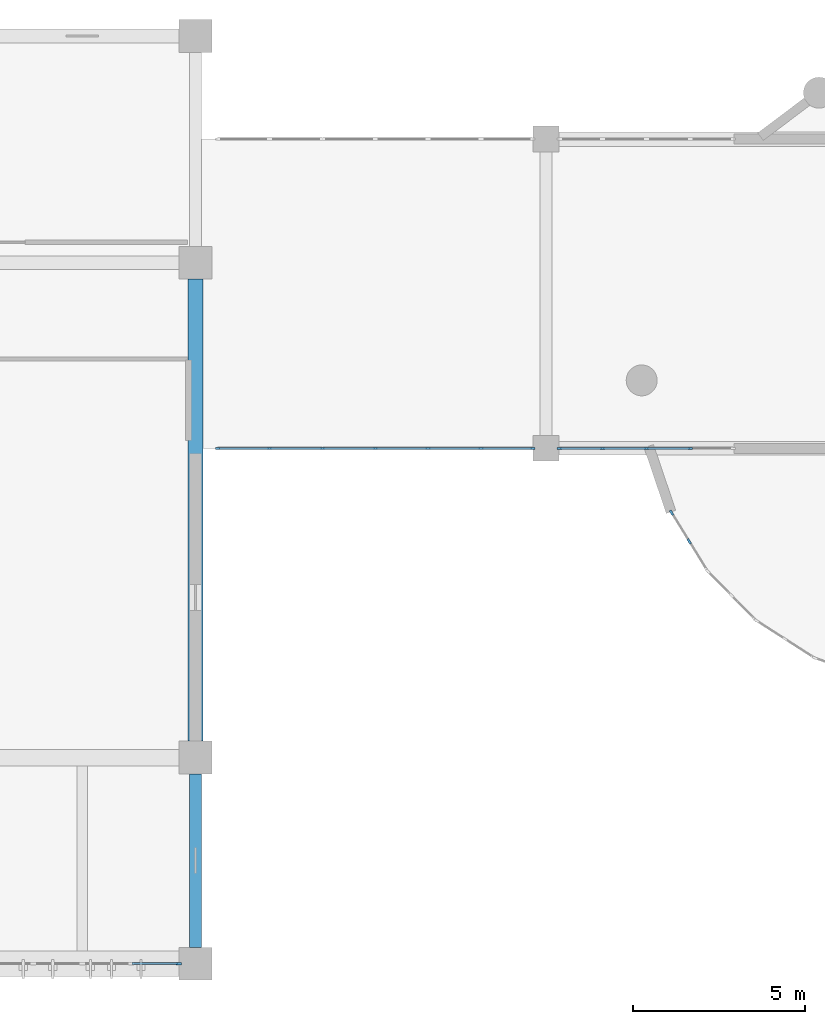
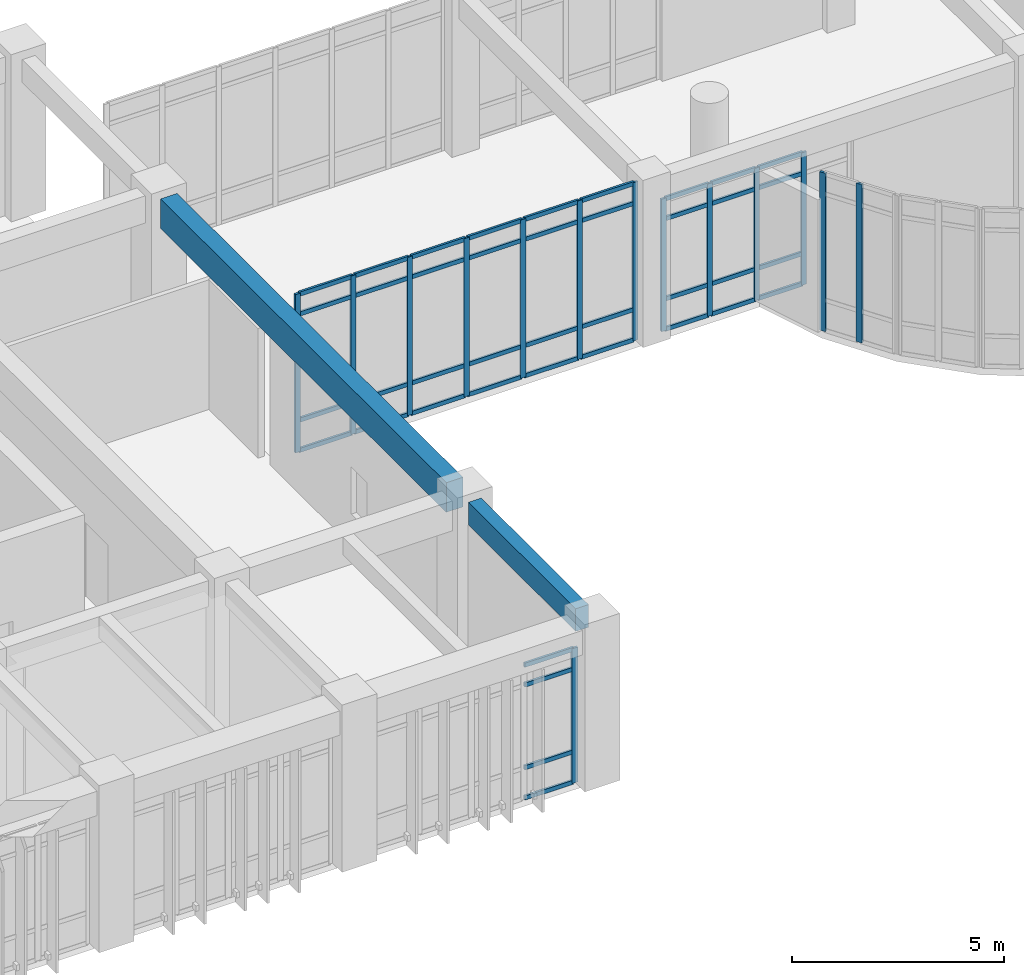
# One storey, part 7 of 68: 54 members, 2 beams, 4 elements without a shape of their own.
"""IFC4 building model written with IfcOpenShell, lengths in metres."""

from ifc_helpers import new_model, si_unit, direction, frame, origin, origin_2d, place, context, subcontext, project, spatial, rectangle, extrude, material, layer, layer_set, material_profile, profile_set, type_object, element, aggregate, save


model = new_model("IFC4")

# Units and contexts
model_context = context("Model", 3, precision=1e-05, world=origin(), true_north=direction((0.0, 1.0)))
body_context = subcontext(model_context, "Body", "Model", "MODEL_VIEW")
ifc_project = project(units=[si_unit("LENGTHUNIT", "METRE"), si_unit("AREAUNIT", "SQUARE_METRE"), si_unit("VOLUMEUNIT", "CUBIC_METRE"), si_unit("PLANEANGLEUNIT", "RADIAN"), si_unit("MASSUNIT", "GRAM", prefix="KILO")], contexts=[model_context])

# Site, building, storey
site_placement = place(None, origin())
site = spatial("IfcSite", under=ifc_project, at=site_placement, CompositionType="ELEMENT")
building_placement = place(site_placement, origin())
building = spatial("IfcBuilding", under=site, at=building_placement, Name="Miralva Faculty of Natural Sciences", CompositionType="ELEMENT")
storey_placement = place(building_placement, frame((0.0, 0.0, 5.39990234375)))
storey = spatial("IfcBuildingStorey", under=building, at=storey_placement, Name="L01", CompositionType="ELEMENT", Elevation=5.39990234375)

# Beams
ifc_material_1 = material(Name="Concrete C40/50", Category="concrete")
ifc_material_profile_1 = material_profile(ifc_material_1, rectangle(XDim=0.449951171875, YDim=0.85009765625, at=origin_2d()), Name="RC 450x850")
ifc_profile_set_1 = profile_set([ifc_material_profile_1], Name="Concrete C40/50")
beam_type_1 = type_object("IfcBeamType", Name="BM-B01", PredefinedType="BEAM", material=ifc_profile_set_1)
beam_1_placement = place(storey_placement, frame((36.0, 9.47509765625, 4.155029296875), z_axis=(0.0, 1.0, 0.0), x_axis=(-1.0, 0.0, 0.0)))
element("IfcBeam", 1, at=beam_1_placement, inside=storey, type_object=beam_type_1, Name="Girder NS L01-144", PredefinedType="BEAM", context=body_context, shape_type="SweptSolid", body=[
    extrude(rectangle(XDim=0.449951171875, YDim=0.85009765625, at=origin_2d()), origin(), (0.0, 0.0, 1.0), 13.449951171875),
])
ifc_material_profile_2 = material_profile(ifc_material_1, rectangle(XDim=0.35009765625, YDim=0.64990234375, at=origin_2d()), Name="RC 350x650")
ifc_profile_set_2 = profile_set([ifc_material_profile_2], Name="Concrete C40/50")
beam_type_2 = type_object("IfcBeamType", Name="BM-B05", PredefinedType="BEAM", material=ifc_profile_set_2)
beam_2_placement = place(storey_placement, frame((36.0, 3.47509765625, 4.255126953125), z_axis=(0.0, 1.0, 0.0), x_axis=(-1.0, 0.0, 0.0)))
element("IfcBeam", 2, at=beam_2_placement, inside=storey, type_object=beam_type_2, Name="Girder NS L01-143", PredefinedType="BEAM", context=body_context, shape_type="SweptSolid", body=[
    extrude(rectangle(XDim=0.35009765625, YDim=0.64990234375, at=origin_2d()), origin(), (0.0, 0.0, 1.0), 5.0498046875),
])

# Curtain wall, members
ifc_material_2 = material(Name="Laminated solar-control glass", Category="glass")
ifc_layer_1 = layer(ifc_material_2, 0.179931640625, Name="CW-RND-L01")
ifc_layer_set_1 = layer_set([ifc_layer_1], Name="Laminated solar-control glass")
curtain_wall_type_1 = type_object("IfcCurtainWallType", Name="CW-RND-L01", PredefinedType="USERDEFINED", material=ifc_layer_set_1)
curtain_wall_1_placement = place(storey_placement, origin())
curtain_wall_1 = element("IfcCurtainWall", 3, at=curtain_wall_1_placement, inside=storey, type_object=curtain_wall_type_1, Name="Curtain wall CW-05 L01-54", ObjectType="UNITISED CURTAIN WALL", PredefinedType="USERDEFINED")
ifc_material_3 = material(Name="Anodised aluminium", Category="aluminium")
ifc_material_profile_3 = material_profile(ifc_material_3, rectangle(XDim=0.06494140625, YDim=0.159912109375, at=origin_2d()), Name="MULLION 65x160")
ifc_profile_set_3 = profile_set([ifc_material_profile_3], Name="Anodised aluminium")
member_type_1 = type_object("IfcMemberType", Name="CW-M02", PredefinedType="MULLION", material=ifc_profile_set_3)
member_1_placement = place(storey_placement, frame((49.855224609375, 16.125, 0.0), z_axis=(0.0, 0.0, 1.0), x_axis=(0.851994617353, 0.523550543884, 0.0)))
member_1 = element("IfcMember", 4, at=member_1_placement, type_object=member_type_1, Name="CW-05 mullion 1", PredefinedType="MULLION", context=body_context, shape_type="SweptSolid", body=[
    extrude(rectangle(XDim=0.06494140625, YDim=0.159912109375, at=origin_2d()), origin(), (0.0, 0.0, 1.0), 4.550048828125),
])
member_2_placement = place(storey_placement, frame((50.3671875, 15.2919921875, 0.0), z_axis=(0.0, 0.0, 1.0), x_axis=(0.851994617353, 0.523550543884, 0.0)))
member_2 = element("IfcMember", 5, at=member_2_placement, type_object=member_type_1, Name="CW-05 mullion 2", PredefinedType="MULLION", context=body_context, shape_type="SweptSolid", body=[
    extrude(rectangle(XDim=0.06494140625, YDim=0.159912109375, at=origin_2d()), origin(), (0.0, 0.0, 1.0), 4.550048828125),
])
aggregate(curtain_wall_1, [member_1, member_2])

# Curtain wall, member
ifc_layer_2 = layer(ifc_material_2, 0.179931640625, Name="CW-TWR-L01")
ifc_layer_set_2 = layer_set([ifc_layer_2], Name="Laminated solar-control glass")
curtain_wall_type_2 = type_object("IfcCurtainWallType", Name="CW-TWR-L01", PredefinedType="USERDEFINED", material=ifc_layer_set_2)
curtain_wall_2_placement = place(storey_placement, origin())
curtain_wall_2 = element("IfcCurtainWall", 6, at=curtain_wall_2_placement, inside=storey, type_object=curtain_wall_type_2, Name="Curtain wall CW-13 L01-217", ObjectType="UNITISED CURTAIN WALL", PredefinedType="USERDEFINED")
member_3_placement = place(storey_placement, frame((35.512451171875, 3.0, 0.0), z_axis=(0.0, 0.0, 1.0), x_axis=(0.0, 1.0, 0.0)))
member_3 = element("IfcMember", 7, at=member_3_placement, type_object=member_type_1, Name="CW-13 mullion 5", PredefinedType="MULLION", context=body_context, shape_type="SweptSolid", body=[
    extrude(rectangle(XDim=0.06494140625, YDim=0.159912109375, at=origin_2d()), origin(), (0.0, 0.0, 1.0), 3.875),
])

# Curtain wall, members
ifc_layer_3 = layer(ifc_material_2, 0.179931640625, Name="CW-COM-L01")
ifc_layer_set_3 = layer_set([ifc_layer_3], Name="Laminated solar-control glass")
curtain_wall_type_3 = type_object("IfcCurtainWallType", Name="CW-COM-L01", PredefinedType="USERDEFINED", material=ifc_layer_set_3)
curtain_wall_3_placement = place(storey_placement, origin())
curtain_wall_3 = element("IfcCurtainWall", 8, at=curtain_wall_3_placement, inside=storey, type_object=curtain_wall_type_3, Name="Curtain wall CW-10 L01-288", ObjectType="UNITISED CURTAIN WALL", PredefinedType="USERDEFINED")
ifc_material_profile_4 = material_profile(ifc_material_3, rectangle(XDim=0.06005859375, YDim=0.139892578125, at=origin_2d()), Name="MULLION 60x140")
ifc_profile_set_4 = profile_set([ifc_material_profile_4], Name="Anodised aluminium")
member_type_2 = type_object("IfcMemberType", Name="CW-M03", PredefinedType="MULLION", material=ifc_profile_set_4)
member_4_placement = place(storey_placement, frame((36.64990234375, 18.0, 0.0), z_axis=(0.0, 0.0, 1.0), x_axis=(0.0, 1.0, 0.0)))
member_4 = element("IfcMember", 9, at=member_4_placement, type_object=member_type_2, Name="CW-10 mullion 1", PredefinedType="MULLION", context=body_context, shape_type="SweptSolid", body=[
    extrude(rectangle(XDim=0.06005859375, YDim=0.139892578125, at=origin_2d()), origin(), (0.0, 0.0, 1.0), 4.550048828125),
])
member_5_placement = place(storey_placement, frame((38.157470703125, 18.0, 0.0), z_axis=(0.0, 0.0, 1.0), x_axis=(0.0, 1.0, 0.0)))
member_5 = element("IfcMember", 10, at=member_5_placement, type_object=member_type_2, Name="CW-10 mullion 2", PredefinedType="MULLION", context=body_context, shape_type="SweptSolid", body=[
    extrude(rectangle(XDim=0.06005859375, YDim=0.139892578125, at=origin_2d()), origin(), (0.0, 0.0, 1.0), 4.550048828125),
])
member_6_placement = place(storey_placement, frame((39.695068359375, 18.0, 0.0), z_axis=(0.0, 0.0, 1.0), x_axis=(0.0, 1.0, 0.0)))
member_6 = element("IfcMember", 11, at=member_6_placement, type_object=member_type_2, Name="CW-10 mullion 3", PredefinedType="MULLION", context=body_context, shape_type="SweptSolid", body=[
    extrude(rectangle(XDim=0.06005859375, YDim=0.139892578125, at=origin_2d()), origin(), (0.0, 0.0, 1.0), 4.550048828125),
])
member_7_placement = place(storey_placement, frame((41.232421875, 18.0, 0.0), z_axis=(0.0, 0.0, 1.0), x_axis=(0.0, 1.0, 0.0)))
member_7 = element("IfcMember", 12, at=member_7_placement, type_object=member_type_2, Name="CW-10 mullion 4", PredefinedType="MULLION", context=body_context, shape_type="SweptSolid", body=[
    extrude(rectangle(XDim=0.06005859375, YDim=0.139892578125, at=origin_2d()), origin(), (0.0, 0.0, 1.0), 4.550048828125),
])
member_8_placement = place(storey_placement, frame((42.77001953125, 18.0, 0.0), z_axis=(0.0, 0.0, 1.0), x_axis=(0.0, 1.0, 0.0)))
member_8 = element("IfcMember", 13, at=member_8_placement, type_object=member_type_2, Name="CW-10 mullion 5", PredefinedType="MULLION", context=body_context, shape_type="SweptSolid", body=[
    extrude(rectangle(XDim=0.06005859375, YDim=0.139892578125, at=origin_2d()), origin(), (0.0, 0.0, 1.0), 4.550048828125),
])
member_9_placement = place(storey_placement, frame((44.3076171875, 18.0, 0.0), z_axis=(0.0, 0.0, 1.0), x_axis=(0.0, 1.0, 0.0)))
member_9 = element("IfcMember", 14, at=member_9_placement, type_object=member_type_2, Name="CW-10 mullion 6", PredefinedType="MULLION", context=body_context, shape_type="SweptSolid", body=[
    extrude(rectangle(XDim=0.06005859375, YDim=0.139892578125, at=origin_2d()), origin(), (0.0, 0.0, 1.0), 4.550048828125),
])
member_10_placement = place(storey_placement, frame((45.81494140625, 18.0, 0.0), z_axis=(0.0, 0.0, 1.0), x_axis=(0.0, 1.0, 0.0)))
member_10 = element("IfcMember", 15, at=member_10_placement, type_object=member_type_2, Name="CW-10 mullion 7", PredefinedType="MULLION", context=body_context, shape_type="SweptSolid", body=[
    extrude(rectangle(XDim=0.06005859375, YDim=0.139892578125, at=origin_2d()), origin(), (0.0, 0.0, 1.0), 4.550048828125),
])

curtain_wall_4_placement = place(storey_placement, origin())
curtain_wall_4 = element("IfcCurtainWall", 16, at=curtain_wall_4_placement, inside=storey, type_object=curtain_wall_type_3, Name="Curtain wall CW-10 L01-289", ObjectType="UNITISED CURTAIN WALL", PredefinedType="USERDEFINED")
member_11_placement = place(storey_placement, frame((46.594970703125, 18.0, 0.0), z_axis=(0.0, 0.0, 1.0), x_axis=(0.0, 1.0, 0.0)))
member_11 = element("IfcMember", 17, at=member_11_placement, type_object=member_type_2, Name="CW-10 mullion 1", PredefinedType="MULLION", context=body_context, shape_type="SweptSolid", body=[
    extrude(rectangle(XDim=0.06005859375, YDim=0.139892578125, at=origin_2d()), origin(), (0.0, 0.0, 1.0), 3.80517578125),
])
member_12_placement = place(storey_placement, frame((47.84375, 18.0, 0.0), z_axis=(0.0, 0.0, 1.0), x_axis=(0.0, 1.0, 0.0)))
member_12 = element("IfcMember", 18, at=member_12_placement, type_object=member_type_2, Name="CW-10 mullion 2", PredefinedType="MULLION", context=body_context, shape_type="SweptSolid", body=[
    extrude(rectangle(XDim=0.06005859375, YDim=0.139892578125, at=origin_2d()), origin(), (0.0, 0.0, 1.0), 3.80517578125),
])
member_13_placement = place(storey_placement, frame((49.12255859375, 18.0, 0.0), z_axis=(0.0, 0.0, 1.0), x_axis=(0.0, 1.0, 0.0)))
member_13 = element("IfcMember", 19, at=member_13_placement, type_object=member_type_2, Name="CW-10 mullion 3", PredefinedType="MULLION", context=body_context, shape_type="SweptSolid", body=[
    extrude(rectangle(XDim=0.06005859375, YDim=0.139892578125, at=origin_2d()), origin(), (0.0, 0.0, 1.0), 3.80517578125),
])
member_14_placement = place(storey_placement, frame((50.4013671875, 18.0, 0.0), z_axis=(0.0, 0.0, 1.0), x_axis=(0.0, 1.0, 0.0)))
member_14 = element("IfcMember", 20, at=member_14_placement, type_object=member_type_2, Name="CW-10 mullion 4", PredefinedType="MULLION", context=body_context, shape_type="SweptSolid", body=[
    extrude(rectangle(XDim=0.06005859375, YDim=0.139892578125, at=origin_2d()), origin(), (0.0, 0.0, 1.0), 3.80517578125),
])

# Member
ifc_material_profile_5 = material_profile(ifc_material_3, rectangle(XDim=0.06005859375, YDim=0.1201171875, at=origin_2d()), Name="TRANSOM 60x120")
ifc_profile_set_5 = profile_set([ifc_material_profile_5], Name="Anodised aluminium")
member_type_3 = type_object("IfcMemberType", Name="CW-T02", PredefinedType="USERDEFINED", material=ifc_profile_set_5)
member_15_placement = place(storey_placement, frame((34.155029296875, 3.0, 0.030029296875), z_axis=(1.0, 0.0, 0.0), x_axis=(0.0, 1.0, 0.0)))
member_15 = element("IfcMember", 21, at=member_15_placement, type_object=member_type_3, Name="CW-13 transom 4.1", ObjectType="TRANSOM", PredefinedType="USERDEFINED", context=body_context, shape_type="SweptSolid", body=[
    extrude(rectangle(XDim=0.06005859375, YDim=0.1201171875, at=origin_2d()), origin(), (0.0, 0.0, 1.0), 1.324951171875),
])

member_16_placement = place(storey_placement, frame((34.155029296875, 3.0, 0.900146484375), z_axis=(1.0, 0.0, 0.0), x_axis=(0.0, 1.0, 0.0)))
member_16 = element("IfcMember", 22, at=member_16_placement, type_object=member_type_3, Name="CW-13 transom 4.2", ObjectType="TRANSOM", PredefinedType="USERDEFINED", context=body_context, shape_type="SweptSolid", body=[
    extrude(rectangle(XDim=0.06005859375, YDim=0.1201171875, at=origin_2d()), origin(), (0.0, 0.0, 1.0), 1.324951171875),
])

member_17_placement = place(storey_placement, frame((34.155029296875, 3.0, 3.275146484375), z_axis=(1.0, 0.0, 0.0), x_axis=(0.0, 1.0, 0.0)))
member_17 = element("IfcMember", 23, at=member_17_placement, type_object=member_type_3, Name="CW-13 transom 4.3", ObjectType="TRANSOM", PredefinedType="USERDEFINED", context=body_context, shape_type="SweptSolid", body=[
    extrude(rectangle(XDim=0.06005859375, YDim=0.1201171875, at=origin_2d()), origin(), (0.0, 0.0, 1.0), 1.324951171875),
])

member_18_placement = place(storey_placement, frame((34.155029296875, 3.0, 3.84521484375), z_axis=(1.0, 0.0, 0.0), x_axis=(0.0, 1.0, 0.0)))
member_18 = element("IfcMember", 24, at=member_18_placement, type_object=member_type_3, Name="CW-13 transom 4.4", ObjectType="TRANSOM", PredefinedType="USERDEFINED", context=body_context, shape_type="SweptSolid", body=[
    extrude(rectangle(XDim=0.06005859375, YDim=0.1201171875, at=origin_2d()), origin(), (0.0, 0.0, 1.0), 1.324951171875),
])

aggregate(curtain_wall_2, [member_3, member_15, member_16, member_17, member_18])

member_19_placement = place(storey_placement, frame((36.679931640625, 18.0, 0.030029296875), z_axis=(1.0, 0.0, 0.0), x_axis=(0.0, 1.0, 0.0)))
member_19 = element("IfcMember", 25, at=member_19_placement, type_object=member_type_3, Name="CW-10 transom 1.1", ObjectType="TRANSOM", PredefinedType="USERDEFINED", context=body_context, shape_type="SweptSolid", body=[
    extrude(rectangle(XDim=0.06005859375, YDim=0.1201171875, at=origin_2d()), origin(), (0.0, 0.0, 1.0), 1.447509765625),
])

member_20_placement = place(storey_placement, frame((36.679931640625, 18.0, 0.900146484375), z_axis=(1.0, 0.0, 0.0), x_axis=(0.0, 1.0, 0.0)))
member_20 = element("IfcMember", 26, at=member_20_placement, type_object=member_type_3, Name="CW-10 transom 1.2", ObjectType="TRANSOM", PredefinedType="USERDEFINED", context=body_context, shape_type="SweptSolid", body=[
    extrude(rectangle(XDim=0.06005859375, YDim=0.1201171875, at=origin_2d()), origin(), (0.0, 0.0, 1.0), 1.447509765625),
])

member_21_placement = place(storey_placement, frame((36.679931640625, 18.0, 3.9501953125), z_axis=(1.0, 0.0, 0.0), x_axis=(0.0, 1.0, 0.0)))
member_21 = element("IfcMember", 27, at=member_21_placement, type_object=member_type_3, Name="CW-10 transom 1.3", ObjectType="TRANSOM", PredefinedType="USERDEFINED", context=body_context, shape_type="SweptSolid", body=[
    extrude(rectangle(XDim=0.06005859375, YDim=0.1201171875, at=origin_2d()), origin(), (0.0, 0.0, 1.0), 1.447509765625),
])

member_22_placement = place(storey_placement, frame((36.679931640625, 18.0, 4.52001953125), z_axis=(1.0, 0.0, 0.0), x_axis=(0.0, 1.0, 0.0)))
member_22 = element("IfcMember", 28, at=member_22_placement, type_object=member_type_3, Name="CW-10 transom 1.4", ObjectType="TRANSOM", PredefinedType="USERDEFINED", context=body_context, shape_type="SweptSolid", body=[
    extrude(rectangle(XDim=0.06005859375, YDim=0.1201171875, at=origin_2d()), origin(), (0.0, 0.0, 1.0), 1.447509765625),
])

member_23_placement = place(storey_placement, frame((38.1875, 18.0, 0.030029296875), z_axis=(1.0, 0.0, 0.0), x_axis=(0.0, 1.0, 0.0)))
member_23 = element("IfcMember", 29, at=member_23_placement, type_object=member_type_3, Name="CW-10 transom 2.1", ObjectType="TRANSOM", PredefinedType="USERDEFINED", context=body_context, shape_type="SweptSolid", body=[
    extrude(rectangle(XDim=0.06005859375, YDim=0.1201171875, at=origin_2d()), origin(), (0.0, 0.0, 1.0), 1.4775390625),
])

member_24_placement = place(storey_placement, frame((38.1875, 18.0, 0.900146484375), z_axis=(1.0, 0.0, 0.0), x_axis=(0.0, 1.0, 0.0)))
member_24 = element("IfcMember", 30, at=member_24_placement, type_object=member_type_3, Name="CW-10 transom 2.2", ObjectType="TRANSOM", PredefinedType="USERDEFINED", context=body_context, shape_type="SweptSolid", body=[
    extrude(rectangle(XDim=0.06005859375, YDim=0.1201171875, at=origin_2d()), origin(), (0.0, 0.0, 1.0), 1.4775390625),
])

member_25_placement = place(storey_placement, frame((38.1875, 18.0, 3.9501953125), z_axis=(1.0, 0.0, 0.0), x_axis=(0.0, 1.0, 0.0)))
member_25 = element("IfcMember", 31, at=member_25_placement, type_object=member_type_3, Name="CW-10 transom 2.3", ObjectType="TRANSOM", PredefinedType="USERDEFINED", context=body_context, shape_type="SweptSolid", body=[
    extrude(rectangle(XDim=0.06005859375, YDim=0.1201171875, at=origin_2d()), origin(), (0.0, 0.0, 1.0), 1.4775390625),
])

member_26_placement = place(storey_placement, frame((38.1875, 18.0, 4.52001953125), z_axis=(1.0, 0.0, 0.0), x_axis=(0.0, 1.0, 0.0)))
member_26 = element("IfcMember", 32, at=member_26_placement, type_object=member_type_3, Name="CW-10 transom 2.4", ObjectType="TRANSOM", PredefinedType="USERDEFINED", context=body_context, shape_type="SweptSolid", body=[
    extrude(rectangle(XDim=0.06005859375, YDim=0.1201171875, at=origin_2d()), origin(), (0.0, 0.0, 1.0), 1.4775390625),
])

member_27_placement = place(storey_placement, frame((39.72509765625, 18.0, 0.030029296875), z_axis=(1.0, 0.0, 0.0), x_axis=(0.0, 1.0, 0.0)))
member_27 = element("IfcMember", 33, at=member_27_placement, type_object=member_type_3, Name="CW-10 transom 3.1", ObjectType="TRANSOM", PredefinedType="USERDEFINED", context=body_context, shape_type="SweptSolid", body=[
    extrude(rectangle(XDim=0.06005859375, YDim=0.1201171875, at=origin_2d()), origin(), (0.0, 0.0, 1.0), 1.477294921875),
])

member_28_placement = place(storey_placement, frame((39.72509765625, 18.0, 0.900146484375), z_axis=(1.0, 0.0, 0.0), x_axis=(0.0, 1.0, 0.0)))
member_28 = element("IfcMember", 34, at=member_28_placement, type_object=member_type_3, Name="CW-10 transom 3.2", ObjectType="TRANSOM", PredefinedType="USERDEFINED", context=body_context, shape_type="SweptSolid", body=[
    extrude(rectangle(XDim=0.06005859375, YDim=0.1201171875, at=origin_2d()), origin(), (0.0, 0.0, 1.0), 1.477294921875),
])

member_29_placement = place(storey_placement, frame((39.72509765625, 18.0, 3.9501953125), z_axis=(1.0, 0.0, 0.0), x_axis=(0.0, 1.0, 0.0)))
member_29 = element("IfcMember", 35, at=member_29_placement, type_object=member_type_3, Name="CW-10 transom 3.3", ObjectType="TRANSOM", PredefinedType="USERDEFINED", context=body_context, shape_type="SweptSolid", body=[
    extrude(rectangle(XDim=0.06005859375, YDim=0.1201171875, at=origin_2d()), origin(), (0.0, 0.0, 1.0), 1.477294921875),
])

member_30_placement = place(storey_placement, frame((39.72509765625, 18.0, 4.52001953125), z_axis=(1.0, 0.0, 0.0), x_axis=(0.0, 1.0, 0.0)))
member_30 = element("IfcMember", 36, at=member_30_placement, type_object=member_type_3, Name="CW-10 transom 3.4", ObjectType="TRANSOM", PredefinedType="USERDEFINED", context=body_context, shape_type="SweptSolid", body=[
    extrude(rectangle(XDim=0.06005859375, YDim=0.1201171875, at=origin_2d()), origin(), (0.0, 0.0, 1.0), 1.477294921875),
])

member_31_placement = place(storey_placement, frame((41.262451171875, 18.0, 0.030029296875), z_axis=(1.0, 0.0, 0.0), x_axis=(0.0, 1.0, 0.0)))
member_31 = element("IfcMember", 37, at=member_31_placement, type_object=member_type_3, Name="CW-10 transom 4.1", ObjectType="TRANSOM", PredefinedType="USERDEFINED", context=body_context, shape_type="SweptSolid", body=[
    extrude(rectangle(XDim=0.06005859375, YDim=0.1201171875, at=origin_2d()), origin(), (0.0, 0.0, 1.0), 1.4775390625),
])

member_32_placement = place(storey_placement, frame((41.262451171875, 18.0, 0.900146484375), z_axis=(1.0, 0.0, 0.0), x_axis=(0.0, 1.0, 0.0)))
member_32 = element("IfcMember", 38, at=member_32_placement, type_object=member_type_3, Name="CW-10 transom 4.2", ObjectType="TRANSOM", PredefinedType="USERDEFINED", context=body_context, shape_type="SweptSolid", body=[
    extrude(rectangle(XDim=0.06005859375, YDim=0.1201171875, at=origin_2d()), origin(), (0.0, 0.0, 1.0), 1.4775390625),
])

member_33_placement = place(storey_placement, frame((41.262451171875, 18.0, 3.9501953125), z_axis=(1.0, 0.0, 0.0), x_axis=(0.0, 1.0, 0.0)))
member_33 = element("IfcMember", 39, at=member_33_placement, type_object=member_type_3, Name="CW-10 transom 4.3", ObjectType="TRANSOM", PredefinedType="USERDEFINED", context=body_context, shape_type="SweptSolid", body=[
    extrude(rectangle(XDim=0.06005859375, YDim=0.1201171875, at=origin_2d()), origin(), (0.0, 0.0, 1.0), 1.4775390625),
])

member_34_placement = place(storey_placement, frame((41.262451171875, 18.0, 4.52001953125), z_axis=(1.0, 0.0, 0.0), x_axis=(0.0, 1.0, 0.0)))
member_34 = element("IfcMember", 40, at=member_34_placement, type_object=member_type_3, Name="CW-10 transom 4.4", ObjectType="TRANSOM", PredefinedType="USERDEFINED", context=body_context, shape_type="SweptSolid", body=[
    extrude(rectangle(XDim=0.06005859375, YDim=0.1201171875, at=origin_2d()), origin(), (0.0, 0.0, 1.0), 1.4775390625),
])

member_35_placement = place(storey_placement, frame((42.800048828125, 18.0, 0.030029296875), z_axis=(1.0, 0.0, 0.0), x_axis=(0.0, 1.0, 0.0)))
member_35 = element("IfcMember", 41, at=member_35_placement, type_object=member_type_3, Name="CW-10 transom 5.1", ObjectType="TRANSOM", PredefinedType="USERDEFINED", context=body_context, shape_type="SweptSolid", body=[
    extrude(rectangle(XDim=0.06005859375, YDim=0.1201171875, at=origin_2d()), origin(), (0.0, 0.0, 1.0), 1.4775390625),
])

member_36_placement = place(storey_placement, frame((42.800048828125, 18.0, 0.900146484375), z_axis=(1.0, 0.0, 0.0), x_axis=(0.0, 1.0, 0.0)))
member_36 = element("IfcMember", 42, at=member_36_placement, type_object=member_type_3, Name="CW-10 transom 5.2", ObjectType="TRANSOM", PredefinedType="USERDEFINED", context=body_context, shape_type="SweptSolid", body=[
    extrude(rectangle(XDim=0.06005859375, YDim=0.1201171875, at=origin_2d()), origin(), (0.0, 0.0, 1.0), 1.4775390625),
])

member_37_placement = place(storey_placement, frame((42.800048828125, 18.0, 3.9501953125), z_axis=(1.0, 0.0, 0.0), x_axis=(0.0, 1.0, 0.0)))
member_37 = element("IfcMember", 43, at=member_37_placement, type_object=member_type_3, Name="CW-10 transom 5.3", ObjectType="TRANSOM", PredefinedType="USERDEFINED", context=body_context, shape_type="SweptSolid", body=[
    extrude(rectangle(XDim=0.06005859375, YDim=0.1201171875, at=origin_2d()), origin(), (0.0, 0.0, 1.0), 1.4775390625),
])

member_38_placement = place(storey_placement, frame((42.800048828125, 18.0, 4.52001953125), z_axis=(1.0, 0.0, 0.0), x_axis=(0.0, 1.0, 0.0)))
member_38 = element("IfcMember", 44, at=member_38_placement, type_object=member_type_3, Name="CW-10 transom 5.4", ObjectType="TRANSOM", PredefinedType="USERDEFINED", context=body_context, shape_type="SweptSolid", body=[
    extrude(rectangle(XDim=0.06005859375, YDim=0.1201171875, at=origin_2d()), origin(), (0.0, 0.0, 1.0), 1.4775390625),
])

member_39_placement = place(storey_placement, frame((44.33740234375, 18.0, 0.030029296875), z_axis=(1.0, 0.0, 0.0), x_axis=(0.0, 1.0, 0.0)))
member_39 = element("IfcMember", 45, at=member_39_placement, type_object=member_type_3, Name="CW-10 transom 6.1", ObjectType="TRANSOM", PredefinedType="USERDEFINED", context=body_context, shape_type="SweptSolid", body=[
    extrude(rectangle(XDim=0.06005859375, YDim=0.1201171875, at=origin_2d()), origin(), (0.0, 0.0, 1.0), 1.447509765625),
])

member_40_placement = place(storey_placement, frame((44.33740234375, 18.0, 0.900146484375), z_axis=(1.0, 0.0, 0.0), x_axis=(0.0, 1.0, 0.0)))
member_40 = element("IfcMember", 46, at=member_40_placement, type_object=member_type_3, Name="CW-10 transom 6.2", ObjectType="TRANSOM", PredefinedType="USERDEFINED", context=body_context, shape_type="SweptSolid", body=[
    extrude(rectangle(XDim=0.06005859375, YDim=0.1201171875, at=origin_2d()), origin(), (0.0, 0.0, 1.0), 1.447509765625),
])

member_41_placement = place(storey_placement, frame((44.33740234375, 18.0, 3.9501953125), z_axis=(1.0, 0.0, 0.0), x_axis=(0.0, 1.0, 0.0)))
member_41 = element("IfcMember", 47, at=member_41_placement, type_object=member_type_3, Name="CW-10 transom 6.3", ObjectType="TRANSOM", PredefinedType="USERDEFINED", context=body_context, shape_type="SweptSolid", body=[
    extrude(rectangle(XDim=0.06005859375, YDim=0.1201171875, at=origin_2d()), origin(), (0.0, 0.0, 1.0), 1.447509765625),
])

member_42_placement = place(storey_placement, frame((44.33740234375, 18.0, 4.52001953125), z_axis=(1.0, 0.0, 0.0), x_axis=(0.0, 1.0, 0.0)))
member_42 = element("IfcMember", 48, at=member_42_placement, type_object=member_type_3, Name="CW-10 transom 6.4", ObjectType="TRANSOM", PredefinedType="USERDEFINED", context=body_context, shape_type="SweptSolid", body=[
    extrude(rectangle(XDim=0.06005859375, YDim=0.1201171875, at=origin_2d()), origin(), (0.0, 0.0, 1.0), 1.447509765625),
])

aggregate(curtain_wall_3, [member_4, member_5, member_6, member_7, member_8, member_9, member_10, member_19, member_20, member_21, member_22, member_23, member_24, member_25, member_26, member_27, member_28, member_29, member_30, member_31, member_32, member_33, member_34, member_35, member_36, member_37, member_38, member_39, member_40, member_41, member_42])

member_43_placement = place(storey_placement, frame((46.625, 18.0, 0.030029296875), z_axis=(1.0, 0.0, 0.0), x_axis=(0.0, 1.0, 0.0)))
member_43 = element("IfcMember", 49, at=member_43_placement, type_object=member_type_3, Name="CW-10 transom 1.1", ObjectType="TRANSOM", PredefinedType="USERDEFINED", context=body_context, shape_type="SweptSolid", body=[
    extrude(rectangle(XDim=0.06005859375, YDim=0.1201171875, at=origin_2d()), origin(), (0.0, 0.0, 1.0), 1.188720703125),
])

member_44_placement = place(storey_placement, frame((46.625, 18.0, 0.900146484375), z_axis=(1.0, 0.0, 0.0), x_axis=(0.0, 1.0, 0.0)))
member_44 = element("IfcMember", 50, at=member_44_placement, type_object=member_type_3, Name="CW-10 transom 1.2", ObjectType="TRANSOM", PredefinedType="USERDEFINED", context=body_context, shape_type="SweptSolid", body=[
    extrude(rectangle(XDim=0.06005859375, YDim=0.1201171875, at=origin_2d()), origin(), (0.0, 0.0, 1.0), 1.188720703125),
])

member_45_placement = place(storey_placement, frame((46.625, 18.0, 3.205078125), z_axis=(1.0, 0.0, 0.0), x_axis=(0.0, 1.0, 0.0)))
member_45 = element("IfcMember", 51, at=member_45_placement, type_object=member_type_3, Name="CW-10 transom 1.3", ObjectType="TRANSOM", PredefinedType="USERDEFINED", context=body_context, shape_type="SweptSolid", body=[
    extrude(rectangle(XDim=0.06005859375, YDim=0.1201171875, at=origin_2d()), origin(), (0.0, 0.0, 1.0), 1.188720703125),
])

member_46_placement = place(storey_placement, frame((46.625, 18.0, 3.775146484375), z_axis=(1.0, 0.0, 0.0), x_axis=(0.0, 1.0, 0.0)))
member_46 = element("IfcMember", 52, at=member_46_placement, type_object=member_type_3, Name="CW-10 transom 1.4", ObjectType="TRANSOM", PredefinedType="USERDEFINED", context=body_context, shape_type="SweptSolid", body=[
    extrude(rectangle(XDim=0.06005859375, YDim=0.1201171875, at=origin_2d()), origin(), (0.0, 0.0, 1.0), 1.188720703125),
])

member_47_placement = place(storey_placement, frame((47.873779296875, 18.0, 0.030029296875), z_axis=(1.0, 0.0, 0.0), x_axis=(0.0, 1.0, 0.0)))
member_47 = element("IfcMember", 53, at=member_47_placement, type_object=member_type_3, Name="CW-10 transom 2.1", ObjectType="TRANSOM", PredefinedType="USERDEFINED", context=body_context, shape_type="SweptSolid", body=[
    extrude(rectangle(XDim=0.06005859375, YDim=0.1201171875, at=origin_2d()), origin(), (0.0, 0.0, 1.0), 1.21875),
])

member_48_placement = place(storey_placement, frame((47.873779296875, 18.0, 0.900146484375), z_axis=(1.0, 0.0, 0.0), x_axis=(0.0, 1.0, 0.0)))
member_48 = element("IfcMember", 54, at=member_48_placement, type_object=member_type_3, Name="CW-10 transom 2.2", ObjectType="TRANSOM", PredefinedType="USERDEFINED", context=body_context, shape_type="SweptSolid", body=[
    extrude(rectangle(XDim=0.06005859375, YDim=0.1201171875, at=origin_2d()), origin(), (0.0, 0.0, 1.0), 1.21875),
])

member_49_placement = place(storey_placement, frame((47.873779296875, 18.0, 3.205078125), z_axis=(1.0, 0.0, 0.0), x_axis=(0.0, 1.0, 0.0)))
member_49 = element("IfcMember", 55, at=member_49_placement, type_object=member_type_3, Name="CW-10 transom 2.3", ObjectType="TRANSOM", PredefinedType="USERDEFINED", context=body_context, shape_type="SweptSolid", body=[
    extrude(rectangle(XDim=0.06005859375, YDim=0.1201171875, at=origin_2d()), origin(), (0.0, 0.0, 1.0), 1.21875),
])

member_50_placement = place(storey_placement, frame((47.873779296875, 18.0, 3.775146484375), z_axis=(1.0, 0.0, 0.0), x_axis=(0.0, 1.0, 0.0)))
member_50 = element("IfcMember", 56, at=member_50_placement, type_object=member_type_3, Name="CW-10 transom 2.4", ObjectType="TRANSOM", PredefinedType="USERDEFINED", context=body_context, shape_type="SweptSolid", body=[
    extrude(rectangle(XDim=0.06005859375, YDim=0.1201171875, at=origin_2d()), origin(), (0.0, 0.0, 1.0), 1.21875),
])

member_51_placement = place(storey_placement, frame((49.152587890625, 18.0, 0.030029296875), z_axis=(1.0, 0.0, 0.0), x_axis=(0.0, 1.0, 0.0)))
member_51 = element("IfcMember", 57, at=member_51_placement, type_object=member_type_3, Name="CW-10 transom 3.1", ObjectType="TRANSOM", PredefinedType="USERDEFINED", context=body_context, shape_type="SweptSolid", body=[
    extrude(rectangle(XDim=0.06005859375, YDim=0.1201171875, at=origin_2d()), origin(), (0.0, 0.0, 1.0), 1.21875),
])

member_52_placement = place(storey_placement, frame((49.152587890625, 18.0, 0.900146484375), z_axis=(1.0, 0.0, 0.0), x_axis=(0.0, 1.0, 0.0)))
member_52 = element("IfcMember", 58, at=member_52_placement, type_object=member_type_3, Name="CW-10 transom 3.2", ObjectType="TRANSOM", PredefinedType="USERDEFINED", context=body_context, shape_type="SweptSolid", body=[
    extrude(rectangle(XDim=0.06005859375, YDim=0.1201171875, at=origin_2d()), origin(), (0.0, 0.0, 1.0), 1.21875),
])

member_53_placement = place(storey_placement, frame((49.152587890625, 18.0, 3.205078125), z_axis=(1.0, 0.0, 0.0), x_axis=(0.0, 1.0, 0.0)))
member_53 = element("IfcMember", 59, at=member_53_placement, type_object=member_type_3, Name="CW-10 transom 3.3", ObjectType="TRANSOM", PredefinedType="USERDEFINED", context=body_context, shape_type="SweptSolid", body=[
    extrude(rectangle(XDim=0.06005859375, YDim=0.1201171875, at=origin_2d()), origin(), (0.0, 0.0, 1.0), 1.21875),
])

member_54_placement = place(storey_placement, frame((49.152587890625, 18.0, 3.775146484375), z_axis=(1.0, 0.0, 0.0), x_axis=(0.0, 1.0, 0.0)))
member_54 = element("IfcMember", 60, at=member_54_placement, type_object=member_type_3, Name="CW-10 transom 3.4", ObjectType="TRANSOM", PredefinedType="USERDEFINED", context=body_context, shape_type="SweptSolid", body=[
    extrude(rectangle(XDim=0.06005859375, YDim=0.1201171875, at=origin_2d()), origin(), (0.0, 0.0, 1.0), 1.21875),
])

aggregate(curtain_wall_4, [member_11, member_12, member_13, member_14, member_43, member_44, member_45, member_46, member_47, member_48, member_49, member_50, member_51, member_52, member_53, member_54])

save(model, "model.ifc")
